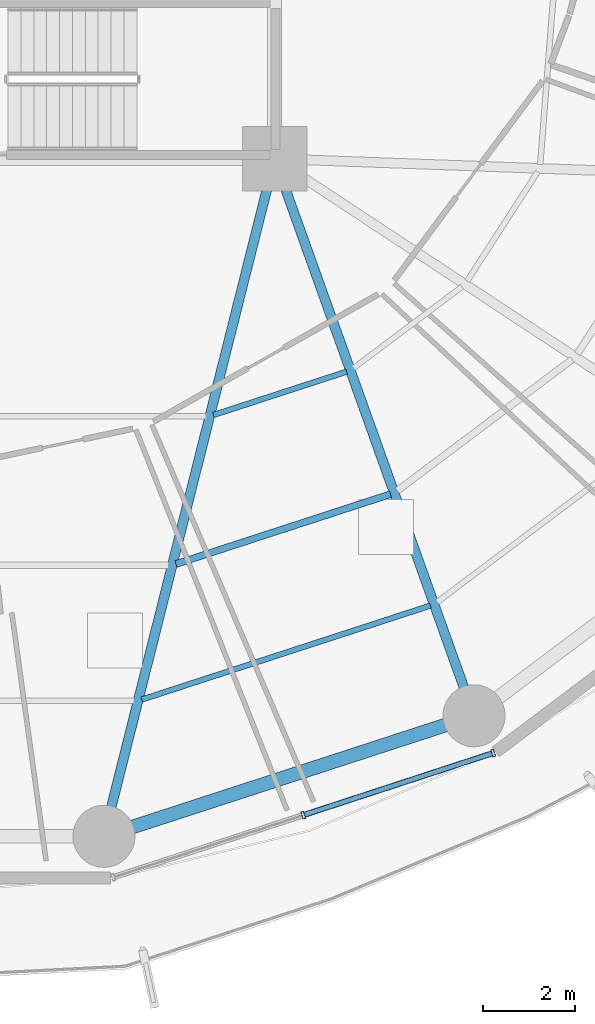
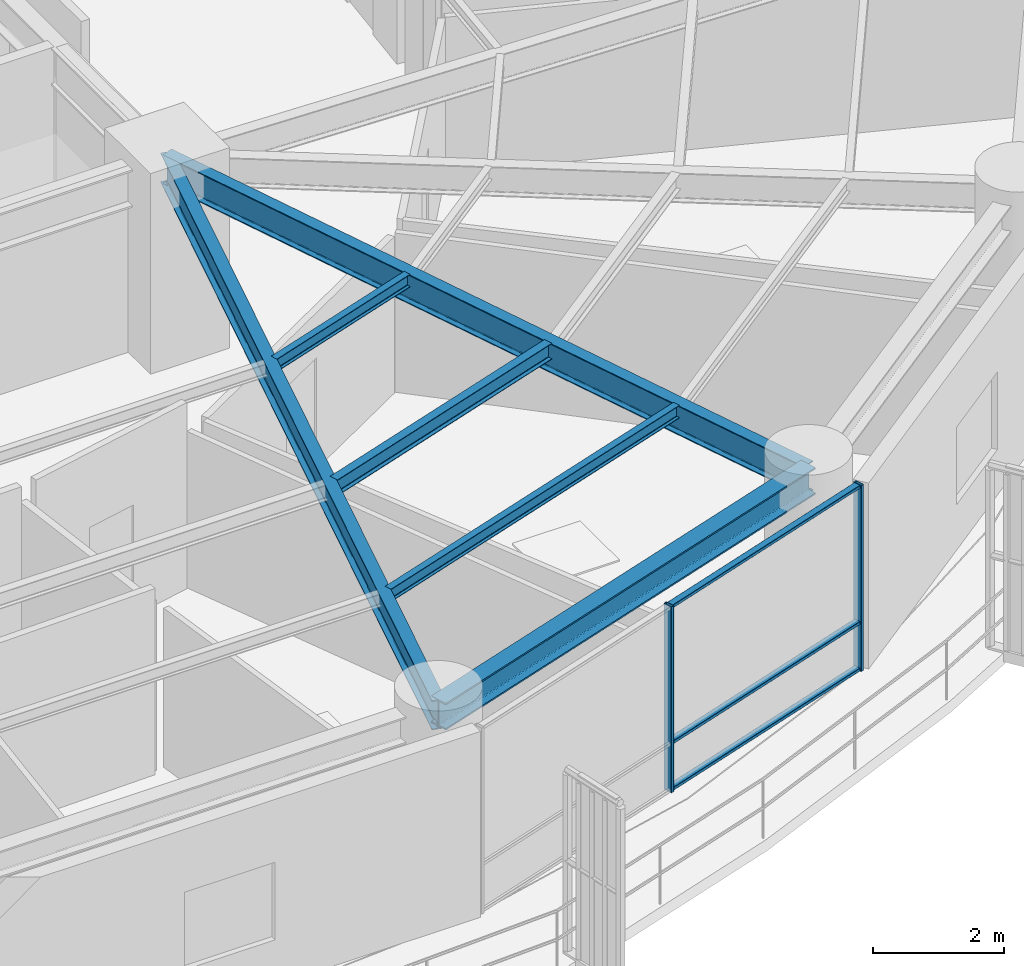
# One storey, part 10 of 35: 6 beams, 5 members, 1 element without a shape of its own.
"""IFC4 building model written with IfcOpenShell, lengths in metres."""

from ifc_helpers import new_model, si_unit, direction, frame, origin, origin_2d, place, context, subcontext, project, spatial, hollow_rectangle, i_section, extrude, material, layer, layer_set, material_profile, profile_set, type_object, element, aggregate, save


model = new_model("IFC4")

# Units and contexts
model_context = context("Model", 3, precision=1e-05, world=origin(), true_north=direction((0.0, 1.0)))
body_context = subcontext(model_context, "Body", "Model", "MODEL_VIEW")
ifc_project = project(units=[si_unit("LENGTHUNIT", "METRE"), si_unit("AREAUNIT", "SQUARE_METRE"), si_unit("VOLUMEUNIT", "CUBIC_METRE"), si_unit("PLANEANGLEUNIT", "RADIAN"), si_unit("MASSUNIT", "GRAM", prefix="KILO")], contexts=[model_context])

# Site, building, storey
site_placement = place(None, origin())
site = spatial("IfcSite", under=ifc_project, at=site_placement, CompositionType="ELEMENT")
building_placement = place(site_placement, origin())
building = spatial("IfcBuilding", under=site, at=building_placement, Name="Kelanora Arch Commons", CompositionType="ELEMENT")
storey_placement = place(building_placement, frame((0.0, 0.0, 91.35009765625)))
storey = spatial("IfcBuildingStorey", under=building, at=storey_placement, Name="L23", CompositionType="ELEMENT", Elevation=91.35009765625)

# Beams
ifc_material_1 = material(Name="Steel S355", Category="steel")
ifc_material_profile_1 = material_profile(ifc_material_1, i_section(OverallWidth=0.14990234375, OverallDepth=0.300048828125, WebThickness=0.007080078125, FlangeThickness=0.0107421875, FilletRadius=0.014892578125, at=origin_2d()), Name="IPE300")
ifc_profile_set_1 = profile_set([ifc_material_profile_1], Name="Steel S355")
beam_type_1 = type_object("IfcBeamType", Name="BM-JST-01", PredefinedType="JOIST", material=ifc_profile_set_1)
beam_1_placement = place(storey_placement, frame((79.852294921875, 42.1796875, 3.33984375), z_axis=(0.950857140254, 0.309629938521, 0.0), x_axis=(-0.309629938521, 0.950857140254, 0.0)))
element("IfcBeam", 1, at=beam_1_placement, inside=storey, type_object=beam_type_1, Name="Secondary Chord Joist BJB-28 L23", PredefinedType="JOIST", context=body_context, shape_type="SweptSolid", body=[
    extrude(i_section(OverallWidth=0.14990234375, OverallDepth=0.300048828125, WebThickness=0.007080078125, FlangeThickness=0.0107421875, FilletRadius=0.014892578125, at=origin_2d()), origin(), (0.0, 0.0, 1.0), 4.912353515625),
])
ifc_material_profile_2 = material_profile(ifc_material_1, i_section(OverallWidth=0.1201171875, OverallDepth=0.239990234375, WebThickness=0.006103515625, FlangeThickness=0.009765625, FilletRadius=0.014892578125, at=origin_2d()), Name="IPE240")
ifc_profile_set_2 = profile_set([ifc_material_profile_2], Name="Steel S355")
beam_type_2 = type_object("IfcBeamType", Name="BM-JST-02", PredefinedType="JOIST", material=ifc_profile_set_2)
beam_2_placement = place(storey_placement, frame((80.66943359375, 45.42333984375, 3.369873046875), z_axis=(0.950846758946, 0.309661817151, 0.0), x_axis=(-0.309661817151, 0.950846758946, 0.0)))
element("IfcBeam", 2, at=beam_2_placement, inside=storey, type_object=beam_type_2, Name="Secondary Chord Joist BJA-28 L23", PredefinedType="JOIST", context=body_context, shape_type="SweptSolid", body=[
    extrude(i_section(OverallWidth=0.1201171875, OverallDepth=0.239990234375, WebThickness=0.006103515625, FlangeThickness=0.009765625, FilletRadius=0.014892578125, at=origin_2d()), origin(), (0.0, 0.0, 1.0), 3.048828125),
])
beam_3_placement = place(storey_placement, frame((79.109375, 39.230712890625, 3.369873046875), z_axis=(0.950862829272, 0.309612467301, 0.0), x_axis=(-0.309612467301, 0.950862829272, 0.0)))
element("IfcBeam", 3, at=beam_3_placement, inside=storey, type_object=beam_type_2, Name="Secondary Chord Joist BJC-28 L23", PredefinedType="JOIST", context=body_context, shape_type="SweptSolid", body=[
    extrude(i_section(OverallWidth=0.1201171875, OverallDepth=0.239990234375, WebThickness=0.006103515625, FlangeThickness=0.009765625, FilletRadius=0.014892578125, at=origin_2d()), origin(), (0.0, 0.0, 1.0), 6.6064453125),
])
ifc_material_profile_3 = material_profile(ifc_material_1, i_section(OverallWidth=0.2099609375, OverallDepth=0.550048828125, WebThickness=0.010986328125, FlangeThickness=0.01708984375, FilletRadius=0.02392578125, at=origin_2d()), Name="IPE550")
ifc_profile_set_3 = profile_set([ifc_material_profile_3], Name="Steel S355")
beam_type_3 = type_object("IfcBeamType", Name="BM-RAD-Z2", PredefinedType="BEAM", material=ifc_profile_set_3)
beam_4_placement = place(storey_placement, frame((82.0, 51.0, 3.21484375), z_axis=(-0.244280647475, -0.969704576286, 0.0), x_axis=(0.969704576286, -0.244280647475, 0.0)))
element("IfcBeam", 4, at=beam_4_placement, inside=storey, type_object=beam_type_3, Name="Radial Floor Girder BR-28 L23", PredefinedType="BEAM", context=body_context, shape_type="SweptSolid", body=[
    extrude(i_section(OverallWidth=0.2099609375, OverallDepth=0.550048828125, WebThickness=0.010986328125, FlangeThickness=0.01708984375, FilletRadius=0.02392578125, at=origin_2d()), origin(), (0.0, 0.0, 1.0), 15.205322265625),
])
beam_5_placement = place(storey_placement, frame((82.0, 51.0, 3.21484375), z_axis=(0.337084640008, -0.941474346687, 0.0), x_axis=(0.941474346687, 0.337084640008, 0.0)))
element("IfcBeam", 5, at=beam_5_placement, inside=storey, type_object=beam_type_3, Name="Radial Floor Girder BR-30 L23", PredefinedType="BEAM", context=body_context, shape_type="SweptSolid", body=[
    extrude(i_section(OverallWidth=0.2099609375, OverallDepth=0.550048828125, WebThickness=0.010986328125, FlangeThickness=0.01708984375, FilletRadius=0.02392578125, at=origin_2d()), origin(), (0.0, 0.0, 1.0), 12.875244140625),
])
ifc_material_profile_4 = material_profile(ifc_material_1, i_section(OverallWidth=0.300048828125, OverallDepth=0.5, WebThickness=0.014404296875, FlangeThickness=0.028076171875, FilletRadius=0.027099609375, at=origin_2d()), Name="HEB500")
ifc_profile_set_4 = profile_set([ifc_material_profile_4], Name="Steel S355")
beam_type_4 = type_object("IfcBeamType", Name="BM-SPN-Z2", PredefinedType="SPANDREL", material=ifc_profile_set_4)
beam_6_placement = place(storey_placement, frame((78.28564453125, 36.25537109375, 3.239990234375), z_axis=(0.950856631974, 0.309631499418, 0.0), x_axis=(-0.309631499418, 0.950856631974, 0.0)))
element("IfcBeam", 6, at=beam_6_placement, inside=storey, type_object=beam_type_4, Name="Perimeter Spandrel Beam BS-28 L23", PredefinedType="SPANDREL", context=body_context, shape_type="SweptSolid", body=[
    extrude(i_section(OverallWidth=0.300048828125, OverallDepth=0.5, WebThickness=0.014404296875, FlangeThickness=0.028076171875, FilletRadius=0.027099609375, at=origin_2d()), origin(), (0.0, 0.0, 1.0), 8.470703125),
])

# Curtain wall, members
ifc_material_2 = material(Name="Terracotta ceramic-fritted low-E glass and aluminium", Category="masonry")
ifc_layer = layer(ifc_material_2, 0.159912109375)
ifc_layer_set = layer_set([ifc_layer], Name="Terracotta ceramic-fritted low-E glass and aluminium")
curtain_wall_type = type_object("IfcCurtainWallType", Name="CW-SYS-01", PredefinedType="NOTDEFINED", material=ifc_layer_set)
curtain_wall_placement = place(storey_placement, origin())
curtain_wall = element("IfcCurtainWall", 7, at=curtain_wall_placement, inside=storey, type_object=curtain_wall_type, Name="Unitised Curtain Wall L23-B14", PredefinedType="NOTDEFINED")
ifc_material_3 = material(Name="Powder-coated aluminium terracotta", Category="masonry")
ifc_material_profile_5 = material_profile(ifc_material_3, hollow_rectangle(XDim=0.159912109375, YDim=0.06005859375, WallThickness=0.0048828125, InnerFilletRadius=0.0048828125, OuterFilletRadius=0.010009765625, at=origin_2d()), Name="CWM160x60")
ifc_profile_set_5 = profile_set([ifc_material_profile_5], Name="Powder-coated aluminium terracotta")
member_type_1 = type_object("IfcMemberType", Name="CWM-STD", PredefinedType="MULLION", material=ifc_profile_set_5)
member_1_placement = place(storey_placement, frame((82.622802734375, 36.71533203125, 0.0), z_axis=(0.0, 0.0, 1.0), x_axis=(-0.31080470294, 0.950473795867, 0.0)))
member_1 = element("IfcMember", 8, at=member_1_placement, type_object=member_type_1, Name="CW-01 mullion 2", PredefinedType="MULLION", context=body_context, shape_type="SweptSolid", body=[
    extrude(hollow_rectangle(XDim=0.159912109375, YDim=0.06005859375, WallThickness=0.0048828125, InnerFilletRadius=0.0048828125, OuterFilletRadius=0.010009765625, at=origin_2d()), origin(), (0.0, 0.0, 1.0), 3.474853515625),
])
member_2_placement = place(storey_placement, frame((86.757080078125, 38.0673828125, 0.0), z_axis=(0.0, 0.0, 1.0), x_axis=(-0.31080470294, 0.950473795867, 0.0)))
member_2 = element("IfcMember", 9, at=member_2_placement, type_object=member_type_1, Name="CW-01 mullion 3", PredefinedType="MULLION", context=body_context, shape_type="SweptSolid", body=[
    extrude(hollow_rectangle(XDim=0.159912109375, YDim=0.06005859375, WallThickness=0.0048828125, InnerFilletRadius=0.0048828125, OuterFilletRadius=0.010009765625, at=origin_2d()), origin(), (0.0, 0.0, 1.0), 3.474853515625),
])
ifc_material_profile_6 = material_profile(ifc_material_3, hollow_rectangle(XDim=0.1201171875, YDim=0.06005859375, WallThickness=0.0048828125, InnerFilletRadius=0.0048828125, OuterFilletRadius=0.010009765625, at=origin_2d()), Name="CWT120x60")
ifc_profile_set_6 = profile_set([ifc_material_profile_6], Name="Powder-coated aluminium terracotta")
member_type_2 = type_object("IfcMemberType", Name="CWT-STD", PredefinedType="USERDEFINED", material=ifc_profile_set_6)
member_3_placement = place(storey_placement, frame((82.651123046875, 36.724609375, 0.02978515625), z_axis=(0.950466230394, 0.310827838008, 0.0), x_axis=(-0.310827838008, 0.950466230394, 0.0)))
member_3 = element("IfcMember", 10, at=member_3_placement, type_object=member_type_2, Name="CW-01 transom 2.1", ObjectType="TRANSOM", PredefinedType="USERDEFINED", context=body_context, shape_type="SweptSolid", body=[
    extrude(hollow_rectangle(XDim=0.1201171875, YDim=0.06005859375, WallThickness=0.0048828125, InnerFilletRadius=0.0048828125, OuterFilletRadius=0.010009765625, at=origin_2d()), origin(), (0.0, 0.0, 1.0), 4.2900390625),
])
member_4_placement = place(storey_placement, frame((82.651123046875, 36.724609375, 0.89990234375), z_axis=(0.950466230394, 0.310827838008, 0.0), x_axis=(-0.310827838008, 0.950466230394, 0.0)))
member_4 = element("IfcMember", 11, at=member_4_placement, type_object=member_type_2, Name="CW-01 transom 2.2", ObjectType="TRANSOM", PredefinedType="USERDEFINED", context=body_context, shape_type="SweptSolid", body=[
    extrude(hollow_rectangle(XDim=0.1201171875, YDim=0.06005859375, WallThickness=0.0048828125, InnerFilletRadius=0.0048828125, OuterFilletRadius=0.010009765625, at=origin_2d()), origin(), (0.0, 0.0, 1.0), 4.2900390625),
])
member_5_placement = place(storey_placement, frame((82.651123046875, 36.724609375, 3.44482421875), z_axis=(0.950466230394, 0.310827838008, 0.0), x_axis=(-0.310827838008, 0.950466230394, 0.0)))
member_5 = element("IfcMember", 12, at=member_5_placement, type_object=member_type_2, Name="CW-01 transom 2.3", ObjectType="TRANSOM", PredefinedType="USERDEFINED", context=body_context, shape_type="SweptSolid", body=[
    extrude(hollow_rectangle(XDim=0.1201171875, YDim=0.06005859375, WallThickness=0.0048828125, InnerFilletRadius=0.0048828125, OuterFilletRadius=0.010009765625, at=origin_2d()), origin(), (0.0, 0.0, 1.0), 4.2900390625),
])
aggregate(curtain_wall, [member_1, member_2, member_3, member_4, member_5])

save(model, "model.ifc")
